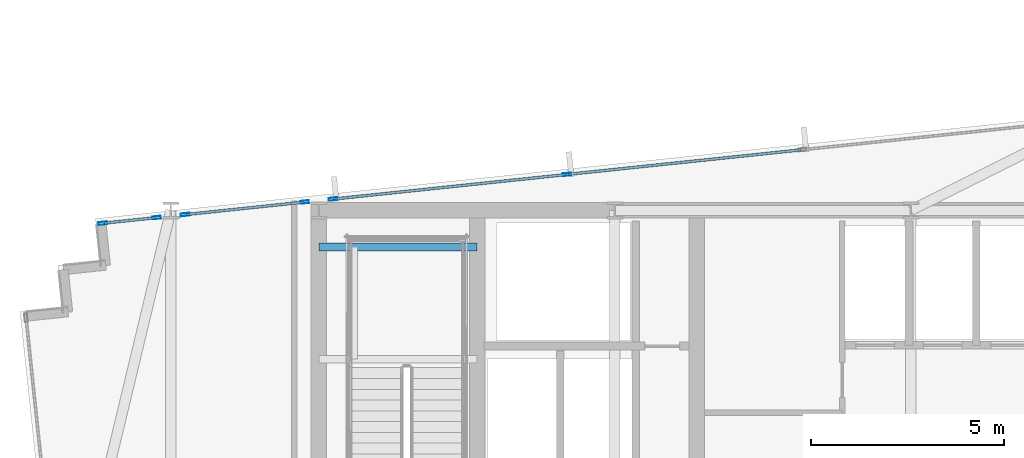
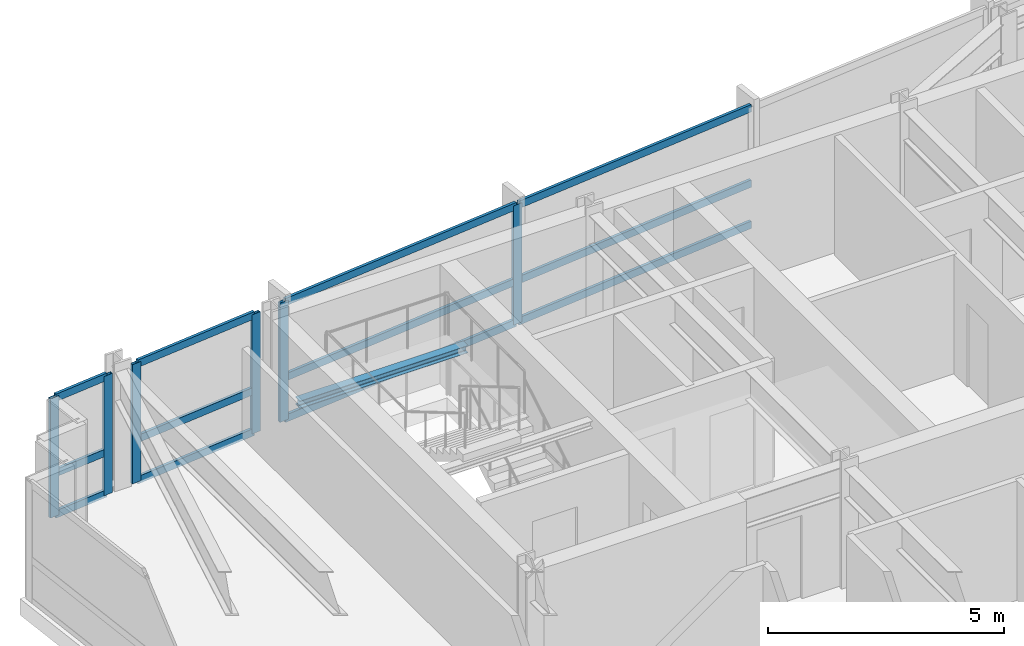
# One storey, part 15 of 26: 18 members, 1 beam, 3 elements without a shape of their own.
"""IFC4 building model written with IfcOpenShell, lengths in metres."""

from ifc_helpers import new_model, si_unit, direction, frame, origin, origin_2d, place, context, subcontext, project, spatial, hollow_rectangle, i_section, extrude, material, material_profile, profile_set, type_object, element, aggregate, save


model = new_model("IFC4")

# Units and contexts
model_context = context("Model", 3, precision=1e-05, world=origin(), true_north=direction((0.0, 1.0)))
body_context = subcontext(model_context, "Body", "Model", "MODEL_VIEW")
ifc_project = project(units=[si_unit("LENGTHUNIT", "METRE"), si_unit("AREAUNIT", "SQUARE_METRE"), si_unit("VOLUMEUNIT", "CUBIC_METRE"), si_unit("PLANEANGLEUNIT", "RADIAN"), si_unit("MASSUNIT", "GRAM", prefix="KILO")], contexts=[model_context])

# Site, building, storey
site_placement = place(None, origin())
site = spatial("IfcSite", under=ifc_project, at=site_placement, CompositionType="ELEMENT")
building_placement = place(site_placement, origin())
building = spatial("IfcBuilding", under=site, at=building_placement, Name="Yelkora Congress Tower", CompositionType="ELEMENT")
storey_placement = place(building_placement, frame((0.0, 0.0, 204.5)))
storey = spatial("IfcBuildingStorey", under=building, at=storey_placement, Name="L56", CompositionType="ELEMENT", Elevation=204.5)

# Beam
ifc_material_1 = material(Name="Steel S355J2", Category="steel")
ifc_material_profile_1 = material_profile(ifc_material_1, i_section(OverallWidth=0.199951171875, OverallDepth=0.18994140625, WebThickness=0.006591796875, FlangeThickness=0.010009765625, FilletRadius=0.01806640625, at=origin_2d()), Name="HEA 200")
ifc_profile_set_1 = profile_set([ifc_material_profile_1], Name="Steel S355J2")
beam_type = type_object("IfcBeamType", Name="BM-LAND-HEA200", PredefinedType="BEAM", material=ifc_profile_set_1)
beam_placement = place(storey_placement, frame((23.0400390625, 45.25, 1.334716796875), z_axis=(1.0, 0.0, 0.0), x_axis=(0.0, 1.0, 0.0)))
element("IfcBeam", 1, at=beam_placement, inside=storey, type_object=beam_type, Name="ST-01 L56 Landing Header Beam 1N", PredefinedType="BEAM", context=body_context, shape_type="SweptSolid", body=[
    extrude(i_section(OverallWidth=0.199951171875, OverallDepth=0.18994140625, WebThickness=0.006591796875, FlangeThickness=0.010009765625, FilletRadius=0.01806640625, at=origin_2d()), origin(), (0.0, 0.0, 1.0), 4.10986328125),
])

# Curtain wall, members
ifc_material_2 = material(Name="Anodised aluminium and insulated glass", Category="aluminium")
curtain_wall_type = type_object("IfcCurtainWallType", Name="CW-SYS-SKY", PredefinedType="NOTDEFINED", material=ifc_material_2)
curtain_wall_1_placement = place(storey_placement, origin())
curtain_wall_1 = element("IfcCurtainWall", 2, at=curtain_wall_1_placement, inside=storey, type_object=curtain_wall_type, Name="L56 Unitised Curtain Wall 10 (1)", PredefinedType="NOTDEFINED")
ifc_material_3 = material(Name="Anodised aluminium 6063-T6", Category="aluminium")
ifc_material_profile_2 = material_profile(ifc_material_3, hollow_rectangle(XDim=0.074951171875, YDim=0.219970703125, WallThickness=0.0048828125, at=origin_2d()), Name="ALU 75x220x5")
ifc_profile_set_2 = profile_set([ifc_material_profile_2], Name="Anodised aluminium 6063-T6")
member_type_1 = type_object("IfcMemberType", Name="MEM-ML-SKY", PredefinedType="MULLION", material=ifc_profile_set_2)
member_1_placement = place(storey_placement, frame((17.436279296875, 45.866455078125, 0.0), z_axis=(0.0, 0.0, 1.0), x_axis=(-0.104519485853, 0.994522838892, 0.0)))
member_1 = element("IfcMember", 3, at=member_1_placement, type_object=member_type_1, Name="CW-SKY mullion 1", PredefinedType="MULLION", context=body_context, shape_type="SweptSolid", body=[
    extrude(hollow_rectangle(XDim=0.074951171875, YDim=0.219970703125, WallThickness=0.0048828125, at=origin_2d()), origin(), (0.0, 0.0, 1.0), 3.080078125),
])
member_2_placement = place(storey_placement, frame((18.833740234375, 46.013427734375, 0.0), z_axis=(0.0, 0.0, 1.0), x_axis=(-0.104519485853, 0.994522838892, 0.0)))
member_2 = element("IfcMember", 4, at=member_2_placement, type_object=member_type_1, Name="CW-SKY mullion 2", PredefinedType="MULLION", context=body_context, shape_type="SweptSolid", body=[
    extrude(hollow_rectangle(XDim=0.074951171875, YDim=0.219970703125, WallThickness=0.0048828125, at=origin_2d()), origin(), (0.0, 0.0, 1.0), 3.080078125),
])

curtain_wall_2_placement = place(storey_placement, origin())
curtain_wall_2 = element("IfcCurtainWall", 5, at=curtain_wall_2_placement, inside=storey, type_object=curtain_wall_type, Name="L56 Unitised Curtain Wall 10 (2)", PredefinedType="NOTDEFINED")
member_3_placement = place(storey_placement, frame((19.56640625, 46.09033203125, 0.0), z_axis=(0.0, 0.0, 1.0), x_axis=(-0.104515579693, 0.994523249402, 0.0)))
member_3 = element("IfcMember", 6, at=member_3_placement, type_object=member_type_1, Name="CW-SKY mullion 1", PredefinedType="MULLION", context=body_context, shape_type="SweptSolid", body=[
    extrude(hollow_rectangle(XDim=0.074951171875, YDim=0.219970703125, WallThickness=0.0048828125, at=origin_2d()), origin(), (0.0, 0.0, 1.0), 3.080078125),
])
member_4_placement = place(storey_placement, frame((22.673583984375, 46.4169921875, 0.0), z_axis=(0.0, 0.0, 1.0), x_axis=(-0.104515579693, 0.994523249402, 0.0)))
member_4 = element("IfcMember", 7, at=member_4_placement, type_object=member_type_1, Name="CW-SKY mullion 2", PredefinedType="MULLION", context=body_context, shape_type="SweptSolid", body=[
    extrude(hollow_rectangle(XDim=0.074951171875, YDim=0.219970703125, WallThickness=0.0048828125, at=origin_2d()), origin(), (0.0, 0.0, 1.0), 3.080078125),
])

curtain_wall_3_placement = place(storey_placement, origin())
curtain_wall_3 = element("IfcCurtainWall", 8, at=curtain_wall_3_placement, inside=storey, type_object=curtain_wall_type, Name="L56 Unitised Curtain Wall 10 (3)", PredefinedType="NOTDEFINED")
member_5_placement = place(storey_placement, frame((23.40625, 46.494140625, 0.0), z_axis=(0.0, 0.0, 1.0), x_axis=(-0.104528076052, 0.994521936066, 0.0)))
member_5 = element("IfcMember", 9, at=member_5_placement, type_object=member_type_1, Name="CW-SKY mullion 1", PredefinedType="MULLION", context=body_context, shape_type="SweptSolid", body=[
    extrude(hollow_rectangle(XDim=0.074951171875, YDim=0.219970703125, WallThickness=0.0048828125, at=origin_2d()), origin(), (0.0, 0.0, 1.0), 3.080078125),
])
member_6_placement = place(storey_placement, frame((29.480712890625, 47.132568359375, 0.0), z_axis=(0.0, 0.0, 1.0), x_axis=(-0.104528076052, 0.994521936066, 0.0)))
member_6 = element("IfcMember", 10, at=member_6_placement, type_object=member_type_1, Name="CW-SKY mullion 2", PredefinedType="MULLION", context=body_context, shape_type="SweptSolid", body=[
    extrude(hollow_rectangle(XDim=0.074951171875, YDim=0.219970703125, WallThickness=0.0048828125, at=origin_2d()), origin(), (0.0, 0.0, 1.0), 3.080078125),
])

# Member
ifc_material_profile_3 = material_profile(ifc_material_3, hollow_rectangle(XDim=0.070068359375, YDim=0.18994140625, WallThickness=0.00390625, at=origin_2d()), Name="ALU 70x190x4")
ifc_profile_set_3 = profile_set([ifc_material_profile_3], Name="Anodised aluminium 6063-T6")
member_type_2 = type_object("IfcMemberType", Name="MEM-TR-SKY", PredefinedType="USERDEFINED", material=ifc_profile_set_3)
member_7_placement = place(storey_placement, frame((17.4736328125, 45.870361328125, 0.034912109375), z_axis=(0.994511486018, 0.104627454232, 0.0), x_axis=(-0.104627454232, 0.994511486018, 0.0)))
member_7 = element("IfcMember", 11, at=member_7_placement, type_object=member_type_2, Name="CW-SKY transom 1.1", ObjectType="TRANSOM", PredefinedType="USERDEFINED", context=body_context, shape_type="SweptSolid", body=[
    extrude(hollow_rectangle(XDim=0.070068359375, YDim=0.18994140625, WallThickness=0.00390625, at=origin_2d()), origin(), (0.0, 0.0, 1.0), 1.330078125),
])

member_8_placement = place(storey_placement, frame((17.4736328125, 45.870361328125, 1.10009765625), z_axis=(0.994511486018, 0.104627454232, 0.0), x_axis=(-0.104627454232, 0.994511486018, 0.0)))
member_8 = element("IfcMember", 12, at=member_8_placement, type_object=member_type_2, Name="CW-SKY transom 1.2", ObjectType="TRANSOM", PredefinedType="USERDEFINED", context=body_context, shape_type="SweptSolid", body=[
    extrude(hollow_rectangle(XDim=0.070068359375, YDim=0.18994140625, WallThickness=0.00390625, at=origin_2d()), origin(), (0.0, 0.0, 1.0), 1.330078125),
])

member_9_placement = place(storey_placement, frame((17.4736328125, 45.870361328125, 3.044921875), z_axis=(0.994511486018, 0.104627454232, 0.0), x_axis=(-0.104627454232, 0.994511486018, 0.0)))
member_9 = element("IfcMember", 13, at=member_9_placement, type_object=member_type_2, Name="CW-SKY transom 1.3", ObjectType="TRANSOM", PredefinedType="USERDEFINED", context=body_context, shape_type="SweptSolid", body=[
    extrude(hollow_rectangle(XDim=0.070068359375, YDim=0.18994140625, WallThickness=0.00390625, at=origin_2d()), origin(), (0.0, 0.0, 1.0), 1.330078125),
])

aggregate(curtain_wall_1, [member_1, member_2, member_7, member_8, member_9])

member_10_placement = place(storey_placement, frame((19.603515625, 46.09423828125, 0.034912109375), z_axis=(0.994519480969, 0.104551432194, 0.0), x_axis=(-0.104551432194, 0.994519480969, 0.0)))
member_10 = element("IfcMember", 14, at=member_10_placement, type_object=member_type_2, Name="CW-SKY transom 1.1", ObjectType="TRANSOM", PredefinedType="USERDEFINED", context=body_context, shape_type="SweptSolid", body=[
    extrude(hollow_rectangle(XDim=0.070068359375, YDim=0.18994140625, WallThickness=0.00390625, at=origin_2d()), origin(), (0.0, 0.0, 1.0), 3.049560546875),
])

member_11_placement = place(storey_placement, frame((19.603515625, 46.09423828125, 1.10009765625), z_axis=(0.994519480969, 0.104551432194, 0.0), x_axis=(-0.104551432194, 0.994519480969, 0.0)))
member_11 = element("IfcMember", 15, at=member_11_placement, type_object=member_type_2, Name="CW-SKY transom 1.2", ObjectType="TRANSOM", PredefinedType="USERDEFINED", context=body_context, shape_type="SweptSolid", body=[
    extrude(hollow_rectangle(XDim=0.070068359375, YDim=0.18994140625, WallThickness=0.00390625, at=origin_2d()), origin(), (0.0, 0.0, 1.0), 3.049560546875),
])

member_12_placement = place(storey_placement, frame((19.603515625, 46.09423828125, 3.044921875), z_axis=(0.994519480969, 0.104551432194, 0.0), x_axis=(-0.104551432194, 0.994519480969, 0.0)))
member_12 = element("IfcMember", 16, at=member_12_placement, type_object=member_type_2, Name="CW-SKY transom 1.3", ObjectType="TRANSOM", PredefinedType="USERDEFINED", context=body_context, shape_type="SweptSolid", body=[
    extrude(hollow_rectangle(XDim=0.070068359375, YDim=0.18994140625, WallThickness=0.00390625, at=origin_2d()), origin(), (0.0, 0.0, 1.0), 3.049560546875),
])

aggregate(curtain_wall_2, [member_3, member_4, member_10, member_11, member_12])

member_13_placement = place(storey_placement, frame((23.443603515625, 46.498046875, 0.034912109375), z_axis=(0.994525834851, 0.104490974795, 0.0), x_axis=(-0.104490974795, 0.994525834851, 0.0)))
member_13 = element("IfcMember", 17, at=member_13_placement, type_object=member_type_2, Name="CW-SKY transom 1.1", ObjectType="TRANSOM", PredefinedType="USERDEFINED", context=body_context, shape_type="SweptSolid", body=[
    extrude(hollow_rectangle(XDim=0.070068359375, YDim=0.18994140625, WallThickness=0.00390625, at=origin_2d()), origin(), (0.0, 0.0, 1.0), 6.03271484375),
])

member_14_placement = place(storey_placement, frame((23.443603515625, 46.498046875, 1.10009765625), z_axis=(0.994525834851, 0.104490974795, 0.0), x_axis=(-0.104490974795, 0.994525834851, 0.0)))
member_14 = element("IfcMember", 18, at=member_14_placement, type_object=member_type_2, Name="CW-SKY transom 1.2", ObjectType="TRANSOM", PredefinedType="USERDEFINED", context=body_context, shape_type="SweptSolid", body=[
    extrude(hollow_rectangle(XDim=0.070068359375, YDim=0.18994140625, WallThickness=0.00390625, at=origin_2d()), origin(), (0.0, 0.0, 1.0), 6.03271484375),
])

member_15_placement = place(storey_placement, frame((23.443603515625, 46.498046875, 3.044921875), z_axis=(0.994525834851, 0.104490974795, 0.0), x_axis=(-0.104490974795, 0.994525834851, 0.0)))
member_15 = element("IfcMember", 19, at=member_15_placement, type_object=member_type_2, Name="CW-SKY transom 1.3", ObjectType="TRANSOM", PredefinedType="USERDEFINED", context=body_context, shape_type="SweptSolid", body=[
    extrude(hollow_rectangle(XDim=0.070068359375, YDim=0.18994140625, WallThickness=0.00390625, at=origin_2d()), origin(), (0.0, 0.0, 1.0), 6.03271484375),
])

member_16_placement = place(storey_placement, frame((29.517822265625, 47.136474609375, 0.034912109375), z_axis=(0.994521968659, 0.104527765955, 0.0), x_axis=(-0.104527765955, 0.994521968659, 0.0)))
member_16 = element("IfcMember", 20, at=member_16_placement, type_object=member_type_2, Name="CW-SKY transom 2.1", ObjectType="TRANSOM", PredefinedType="USERDEFINED", context=body_context, shape_type="SweptSolid", body=[
    extrude(hollow_rectangle(XDim=0.070068359375, YDim=0.18994140625, WallThickness=0.00390625, at=origin_2d()), origin(), (0.0, 0.0, 1.0), 6.0703125),
])

member_17_placement = place(storey_placement, frame((29.517822265625, 47.136474609375, 1.10009765625), z_axis=(0.994521968659, 0.104527765955, 0.0), x_axis=(-0.104527765955, 0.994521968659, 0.0)))
member_17 = element("IfcMember", 21, at=member_17_placement, type_object=member_type_2, Name="CW-SKY transom 2.2", ObjectType="TRANSOM", PredefinedType="USERDEFINED", context=body_context, shape_type="SweptSolid", body=[
    extrude(hollow_rectangle(XDim=0.070068359375, YDim=0.18994140625, WallThickness=0.00390625, at=origin_2d()), origin(), (0.0, 0.0, 1.0), 6.0703125),
])

member_18_placement = place(storey_placement, frame((29.517822265625, 47.136474609375, 3.044921875), z_axis=(0.994521968659, 0.104527765955, 0.0), x_axis=(-0.104527765955, 0.994521968659, 0.0)))
member_18 = element("IfcMember", 22, at=member_18_placement, type_object=member_type_2, Name="CW-SKY transom 2.3", ObjectType="TRANSOM", PredefinedType="USERDEFINED", context=body_context, shape_type="SweptSolid", body=[
    extrude(hollow_rectangle(XDim=0.070068359375, YDim=0.18994140625, WallThickness=0.00390625, at=origin_2d()), origin(), (0.0, 0.0, 1.0), 6.0703125),
])

aggregate(curtain_wall_3, [member_5, member_6, member_13, member_14, member_15, member_16, member_17, member_18])

save(model, "model.ifc")
